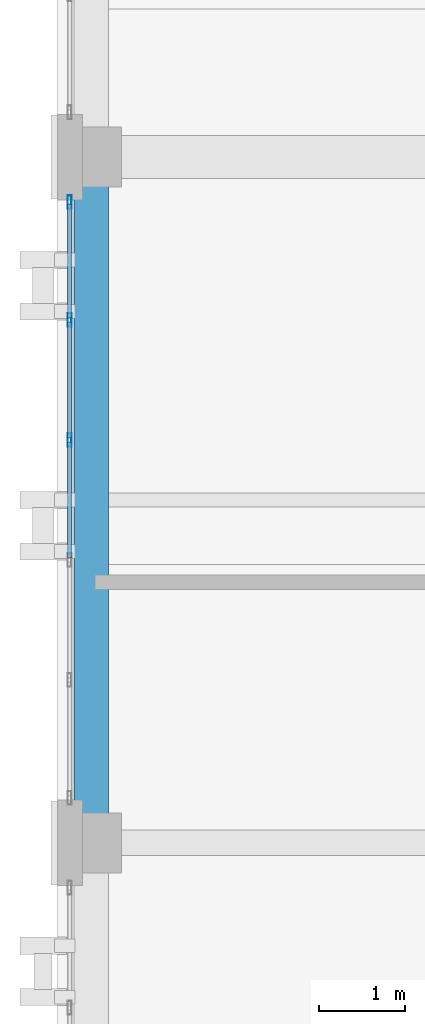
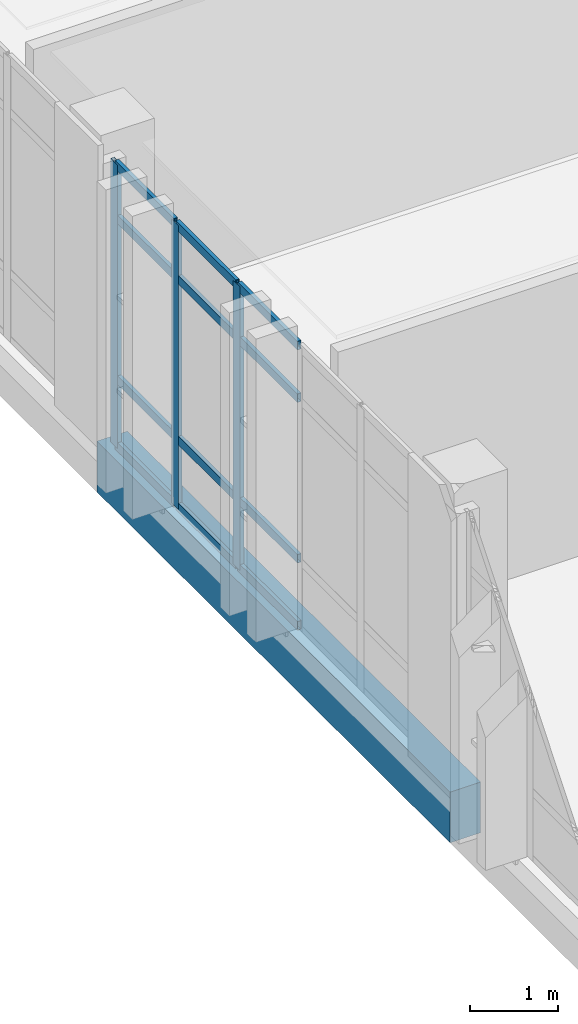
# One storey, part 28 of 165: 15 members, 1 beam, 1 element without a shape of its own.
"""IFC4 building model written with IfcOpenShell, lengths in metres."""

from ifc_helpers import new_model, si_unit, direction, frame, origin, origin_2d, place, context, subcontext, project, spatial, rectangle, hollow_rectangle, extrude, material, layer, layer_set, material_profile, profile_set, type_object, element, aggregate, save


model = new_model("IFC4")

# Units and contexts
model_context = context("Model", 3, precision=1e-05, world=origin(), true_north=direction((0.0, 1.0)))
body_context = subcontext(model_context, "Body", "Model", "MODEL_VIEW")
ifc_project = project(units=[si_unit("LENGTHUNIT", "METRE"), si_unit("AREAUNIT", "SQUARE_METRE"), si_unit("VOLUMEUNIT", "CUBIC_METRE"), si_unit("PLANEANGLEUNIT", "RADIAN"), si_unit("MASSUNIT", "GRAM", prefix="KILO")], contexts=[model_context])

# Site, building, storey
site_placement = place(None, origin())
site = spatial("IfcSite", under=ifc_project, at=site_placement, CompositionType="ELEMENT")
building_placement = place(site_placement, origin())
building = spatial("IfcBuilding", under=site, at=building_placement, Name="Qalavern Law Courts", CompositionType="ELEMENT")
storey_placement = place(building_placement, frame((0.0, 0.0, 14.39990234375)))
storey = spatial("IfcBuildingStorey", under=building, at=storey_placement, Name="L03", CompositionType="ELEMENT", Elevation=14.39990234375)

# Curtain wall, members
ifc_material_1 = material(Name="Anodised aluminium and insulated glazing", Category="aluminium")
ifc_layer = layer(ifc_material_1, 0.172119140625)
ifc_layer_set = layer_set([ifc_layer], Name="Anodised aluminium and insulated glazing")
curtain_wall_type = type_object("IfcCurtainWallType", Name="ENV-CW-COURT", PredefinedType="USERDEFINED", material=ifc_layer_set)
curtain_wall_placement = place(storey_placement, origin())
curtain_wall = element("IfcCurtainWall", 1, at=curtain_wall_placement, inside=storey, type_object=curtain_wall_type, Name="V3 unitised curtain wall L03 west 6", ObjectType="UNITISED CURTAIN WALL", PredefinedType="USERDEFINED")
ifc_material_2 = material(Name="Anodised aluminium", Category="aluminium")
ifc_material_profile_1 = material_profile(ifc_material_2, hollow_rectangle(XDim=0.048095703125, YDim=0.159912109375, WallThickness=0.00390625, at=origin_2d()), Name="ALU MULLION 48x160")
ifc_profile_set_1 = profile_set([ifc_material_profile_1], Name="Anodised aluminium")
member_type_1 = type_object("IfcMemberType", Name="ENV-CWM-48x160", PredefinedType="MULLION", material=ifc_profile_set_1)
member_1_placement = place(storey_placement, frame((2.1474609375, 56.8759765625, 0.0), z_axis=(0.0, 0.0, 1.0), x_axis=(1.0, 0.0, 0.0)))
member_1 = element("IfcMember", 2, at=member_1_placement, type_object=member_type_1, Name="CW-03 mullion 1", PredefinedType="MULLION", context=body_context, shape_type="SweptSolid", body=[
    extrude(hollow_rectangle(XDim=0.048095703125, YDim=0.159912109375, WallThickness=0.00390625, at=origin_2d()), origin(), (0.0, 0.0, 1.0), 3.920166015625),
])
member_2_placement = place(storey_placement, frame((2.1474609375, 55.5, 0.0), z_axis=(0.0, 0.0, 1.0), x_axis=(1.0, 0.0, 0.0)))
member_2 = element("IfcMember", 3, at=member_2_placement, type_object=member_type_1, Name="CW-03 mullion 2", PredefinedType="MULLION", context=body_context, shape_type="SweptSolid", body=[
    extrude(hollow_rectangle(XDim=0.048095703125, YDim=0.159912109375, WallThickness=0.00390625, at=origin_2d()), origin(), (0.0, 0.0, 1.0), 3.920166015625),
])
member_3_placement = place(storey_placement, frame((2.1474609375, 54.10009765625, 0.0), z_axis=(0.0, 0.0, 1.0), x_axis=(1.0, 0.0, 0.0)))
member_3 = element("IfcMember", 4, at=member_3_placement, type_object=member_type_1, Name="CW-03 mullion 3", PredefinedType="MULLION", context=body_context, shape_type="SweptSolid", body=[
    extrude(hollow_rectangle(XDim=0.048095703125, YDim=0.159912109375, WallThickness=0.00390625, at=origin_2d()), origin(), (0.0, 0.0, 1.0), 3.920166015625),
])
ifc_material_profile_2 = material_profile(ifc_material_2, hollow_rectangle(XDim=0.048095703125, YDim=0.1201171875, WallThickness=0.00390625, at=origin_2d()), Name="ALU TRANSOM 48x120")
ifc_profile_set_2 = profile_set([ifc_material_profile_2], Name="Anodised aluminium")
member_type_2 = type_object("IfcMemberType", Name="ENV-CWT-48x120", PredefinedType="USERDEFINED", material=ifc_profile_set_2)
member_4_placement = place(storey_placement, frame((2.1474609375, 56.85205078125, 0.024169921875), z_axis=(0.0, -1.0, 0.0), x_axis=(1.0, 0.0, 0.0)))
member_4 = element("IfcMember", 5, at=member_4_placement, type_object=member_type_2, Name="CW-03 transom 1.1", ObjectType="TRANSOM", PredefinedType="USERDEFINED", context=body_context, shape_type="SweptSolid", body=[
    extrude(hollow_rectangle(XDim=0.048095703125, YDim=0.1201171875, WallThickness=0.00390625, at=origin_2d()), origin(), (0.0, 0.0, 1.0), 1.328125),
])
member_5_placement = place(storey_placement, frame((2.1474609375, 56.85205078125, 0.9501953125), z_axis=(0.0, -1.0, 0.0), x_axis=(1.0, 0.0, 0.0)))
member_5 = element("IfcMember", 6, at=member_5_placement, type_object=member_type_2, Name="CW-03 transom 1.2", ObjectType="TRANSOM", PredefinedType="USERDEFINED", context=body_context, shape_type="SweptSolid", body=[
    extrude(hollow_rectangle(XDim=0.048095703125, YDim=0.1201171875, WallThickness=0.00390625, at=origin_2d()), origin(), (0.0, 0.0, 1.0), 1.328125),
])
member_6_placement = place(storey_placement, frame((2.1474609375, 56.85205078125, 3.170166015625), z_axis=(0.0, -1.0, 0.0), x_axis=(1.0, 0.0, 0.0)))
member_6 = element("IfcMember", 7, at=member_6_placement, type_object=member_type_2, Name="CW-03 transom 1.3", ObjectType="TRANSOM", PredefinedType="USERDEFINED", context=body_context, shape_type="SweptSolid", body=[
    extrude(hollow_rectangle(XDim=0.048095703125, YDim=0.1201171875, WallThickness=0.00390625, at=origin_2d()), origin(), (0.0, 0.0, 1.0), 1.328125),
])
member_7_placement = place(storey_placement, frame((2.1474609375, 56.85205078125, 3.89599609375), z_axis=(0.0, -1.0, 0.0), x_axis=(1.0, 0.0, 0.0)))
member_7 = element("IfcMember", 8, at=member_7_placement, type_object=member_type_2, Name="CW-03 transom 1.4", ObjectType="TRANSOM", PredefinedType="USERDEFINED", context=body_context, shape_type="SweptSolid", body=[
    extrude(hollow_rectangle(XDim=0.048095703125, YDim=0.1201171875, WallThickness=0.00390625, at=origin_2d()), origin(), (0.0, 0.0, 1.0), 1.328125),
])
member_8_placement = place(storey_placement, frame((2.1474609375, 55.47607421875, 0.024169921875), z_axis=(0.0, -1.0, 0.0), x_axis=(1.0, 0.0, 0.0)))
member_8 = element("IfcMember", 9, at=member_8_placement, type_object=member_type_2, Name="CW-03 transom 2.1", ObjectType="TRANSOM", PredefinedType="USERDEFINED", context=body_context, shape_type="SweptSolid", body=[
    extrude(hollow_rectangle(XDim=0.048095703125, YDim=0.1201171875, WallThickness=0.00390625, at=origin_2d()), origin(), (0.0, 0.0, 1.0), 1.35205078125),
])
member_9_placement = place(storey_placement, frame((2.1474609375, 55.47607421875, 0.9501953125), z_axis=(0.0, -1.0, 0.0), x_axis=(1.0, 0.0, 0.0)))
member_9 = element("IfcMember", 10, at=member_9_placement, type_object=member_type_2, Name="CW-03 transom 2.2", ObjectType="TRANSOM", PredefinedType="USERDEFINED", context=body_context, shape_type="SweptSolid", body=[
    extrude(hollow_rectangle(XDim=0.048095703125, YDim=0.1201171875, WallThickness=0.00390625, at=origin_2d()), origin(), (0.0, 0.0, 1.0), 1.35205078125),
])
member_10_placement = place(storey_placement, frame((2.1474609375, 55.47607421875, 3.170166015625), z_axis=(0.0, -1.0, 0.0), x_axis=(1.0, 0.0, 0.0)))
member_10 = element("IfcMember", 11, at=member_10_placement, type_object=member_type_2, Name="CW-03 transom 2.3", ObjectType="TRANSOM", PredefinedType="USERDEFINED", context=body_context, shape_type="SweptSolid", body=[
    extrude(hollow_rectangle(XDim=0.048095703125, YDim=0.1201171875, WallThickness=0.00390625, at=origin_2d()), origin(), (0.0, 0.0, 1.0), 1.35205078125),
])
member_11_placement = place(storey_placement, frame((2.1474609375, 55.47607421875, 3.89599609375), z_axis=(0.0, -1.0, 0.0), x_axis=(1.0, 0.0, 0.0)))
member_11 = element("IfcMember", 12, at=member_11_placement, type_object=member_type_2, Name="CW-03 transom 2.4", ObjectType="TRANSOM", PredefinedType="USERDEFINED", context=body_context, shape_type="SweptSolid", body=[
    extrude(hollow_rectangle(XDim=0.048095703125, YDim=0.1201171875, WallThickness=0.00390625, at=origin_2d()), origin(), (0.0, 0.0, 1.0), 1.35205078125),
])
member_12_placement = place(storey_placement, frame((2.1474609375, 54.075927734375, 0.024169921875), z_axis=(0.0, -1.0, 0.0), x_axis=(1.0, 0.0, 0.0)))
member_12 = element("IfcMember", 13, at=member_12_placement, type_object=member_type_2, Name="CW-03 transom 3.1", ObjectType="TRANSOM", PredefinedType="USERDEFINED", context=body_context, shape_type="SweptSolid", body=[
    extrude(hollow_rectangle(XDim=0.048095703125, YDim=0.1201171875, WallThickness=0.00390625, at=origin_2d()), origin(), (0.0, 0.0, 1.0), 1.351806640625),
])
member_13_placement = place(storey_placement, frame((2.1474609375, 54.075927734375, 0.9501953125), z_axis=(0.0, -1.0, 0.0), x_axis=(1.0, 0.0, 0.0)))
member_13 = element("IfcMember", 14, at=member_13_placement, type_object=member_type_2, Name="CW-03 transom 3.2", ObjectType="TRANSOM", PredefinedType="USERDEFINED", context=body_context, shape_type="SweptSolid", body=[
    extrude(hollow_rectangle(XDim=0.048095703125, YDim=0.1201171875, WallThickness=0.00390625, at=origin_2d()), origin(), (0.0, 0.0, 1.0), 1.351806640625),
])
member_14_placement = place(storey_placement, frame((2.1474609375, 54.075927734375, 3.170166015625), z_axis=(0.0, -1.0, 0.0), x_axis=(1.0, 0.0, 0.0)))
member_14 = element("IfcMember", 15, at=member_14_placement, type_object=member_type_2, Name="CW-03 transom 3.3", ObjectType="TRANSOM", PredefinedType="USERDEFINED", context=body_context, shape_type="SweptSolid", body=[
    extrude(hollow_rectangle(XDim=0.048095703125, YDim=0.1201171875, WallThickness=0.00390625, at=origin_2d()), origin(), (0.0, 0.0, 1.0), 1.351806640625),
])
member_15_placement = place(storey_placement, frame((2.1474609375, 54.075927734375, 3.89599609375), z_axis=(0.0, -1.0, 0.0), x_axis=(1.0, 0.0, 0.0)))
member_15 = element("IfcMember", 16, at=member_15_placement, type_object=member_type_2, Name="CW-03 transom 3.4", ObjectType="TRANSOM", PredefinedType="USERDEFINED", context=body_context, shape_type="SweptSolid", body=[
    extrude(hollow_rectangle(XDim=0.048095703125, YDim=0.1201171875, WallThickness=0.00390625, at=origin_2d()), origin(), (0.0, 0.0, 1.0), 1.351806640625),
])
aggregate(curtain_wall, [member_1, member_2, member_3, member_4, member_5, member_6, member_7, member_8, member_9, member_10, member_11, member_12, member_13, member_14, member_15])

# Beam
ifc_material_3 = material(Name="Concrete C40/50", Category="concrete")
ifc_material_profile_3 = material_profile(ifc_material_3, rectangle(XDim=0.39990234375, YDim=0.699951171875, at=origin_2d()), Name="RC 400x700")
ifc_profile_set_3 = profile_set([ifc_material_profile_3], Name="Concrete C40/50")
beam_type = type_object("IfcBeamType", Name="STR-SP-RC400x700", PredefinedType="SPANDREL", material=ifc_profile_set_3)
beam_placement = place(storey_placement, frame((2.39990234375, 49.39990234375, -0.635009765625), z_axis=(0.0, 1.0, 0.0), x_axis=(-1.0, 0.0, 0.0)))
element("IfcBeam", 17, at=beam_placement, inside=storey, type_object=beam_type, Name="V3 Y-beam 1-2 L03", PredefinedType="SPANDREL", context=body_context, shape_type="SweptSolid", body=[
    extrude(rectangle(XDim=0.39990234375, YDim=0.699951171875, at=origin_2d()), origin(), (0.0, 0.0, 1.0), 8.0),
])

save(model, "model.ifc")
